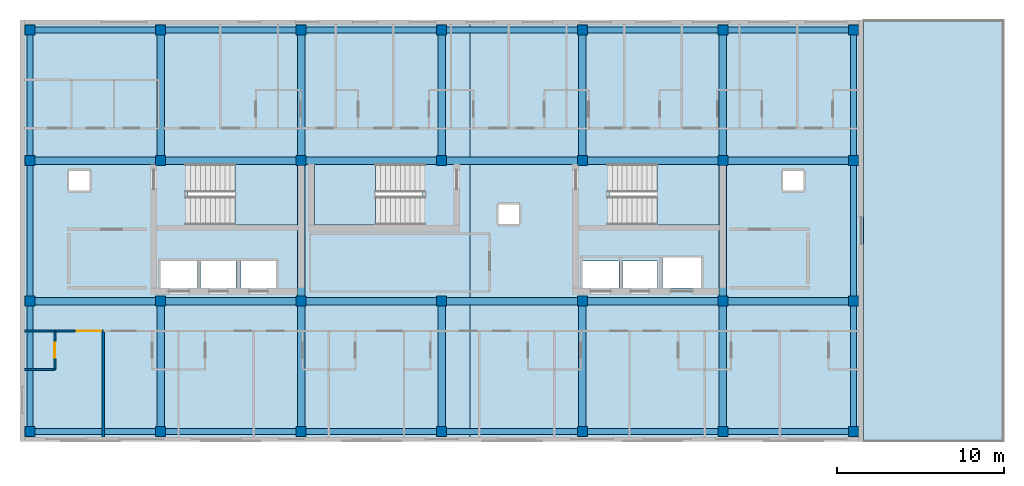
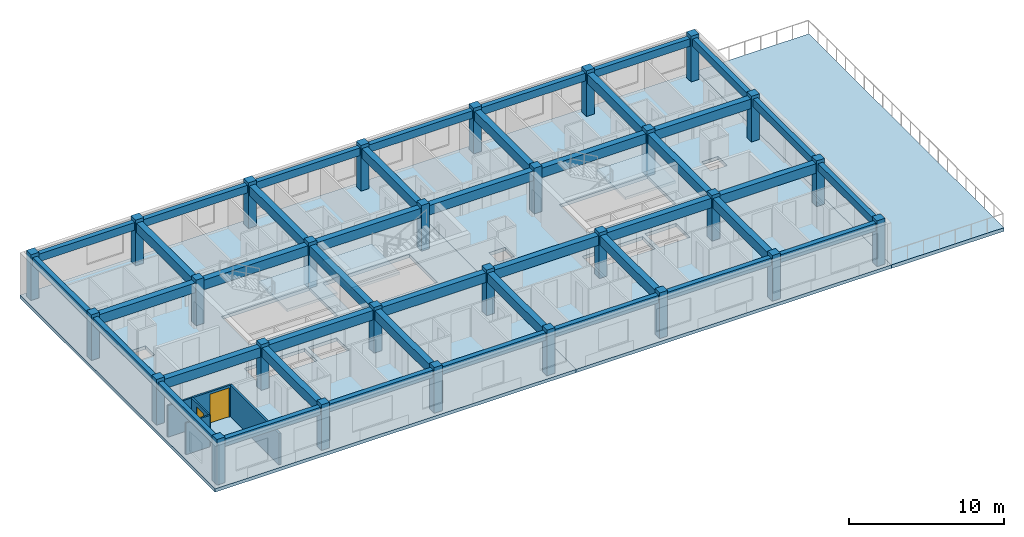
# One storey, part 1 of 9: 42 beams, 28 columns, 6 slabs, 5 walls, 2 doors, 2 openings, 3 elements without a shape of their own.
"""IFC4 building model written with IfcOpenShell, lengths in metres."""

from ifc_helpers import new_model, si_unit, direction, frame, frame_2d, origin, origin_2d, place, context, subcontext, project, spatial, polyline, rectangle, outline, extrude, material, layer, layer_set, material_profile, profile_set, type_object, element, fill, aggregate, save


model = new_model("IFC4")

# Units and contexts
model_context = context("Model", 3, precision=1e-05, world=origin(), true_north=direction((0.0, 1.0)))
body_context = subcontext(model_context, "Body", "Model", "MODEL_VIEW")
ifc_project = project(units=[si_unit("LENGTHUNIT", "METRE"), si_unit("AREAUNIT", "SQUARE_METRE"), si_unit("VOLUMEUNIT", "CUBIC_METRE"), si_unit("PLANEANGLEUNIT", "RADIAN"), si_unit("MASSUNIT", "GRAM", prefix="KILO")], contexts=[model_context])

# Site, building, storey
site_placement = place(None, origin())
site = spatial("IfcSite", under=ifc_project, at=site_placement, CompositionType="ELEMENT")
building_placement = place(site_placement, origin())
building = spatial("IfcBuilding", under=site, at=building_placement, Name="Zayran Congress Hotel", CompositionType="ELEMENT")
storey_placement = place(building_placement, frame((0.0, 0.0, 40.800048828125)))
storey = spatial("IfcBuildingStorey", under=building, at=storey_placement, Name="L10", CompositionType="ELEMENT", Elevation=40.800048828125)

# Columns
ifc_material_1 = material(Name="Concrete C40/50", Category="concrete")
ifc_material_profile_1 = material_profile(ifc_material_1, rectangle(XDim=0.60009765625, YDim=0.60009765625, at=origin_2d()), Name="RC 600x600")
ifc_profile_set_1 = profile_set([ifc_material_profile_1], Name="Concrete C40/50")
column_type = type_object("IfcColumnType", Name="TP-CL-04", PredefinedType="COLUMN", material=ifc_profile_set_1)
for number, where, z_axis, x_axis, name in (
    (1, (17.39990234375, 9.39990234375, 0.0), (0.0, 0.0, 1.0), (1.0, 0.0, 0.0), "COL-V5-L10-1324"),
    (2, (17.39990234375, 17.199951171875, 0.0), (0.0, 0.0, 1.0), (1.0, 0.0, 0.0), "COL-V5-L10-1325"),
    (3, (17.39990234375, 25.60009765625, 0.0), (0.0, 0.0, 1.0), (1.0, 0.0, 0.0), "COL-V5-L10-1326"),
    (4, (17.39990234375, 33.39990234375, 0.0), (0.0, 0.0, 1.0), (1.0, 0.0, 0.0), "COL-V5-L10-1327"),
    (5, (25.199951171875, 9.39990234375, 0.0), (0.0, 0.0, 1.0), (1.0, 0.0, 0.0), "COL-V5-L10-1328"),
    (6, (25.199951171875, 17.199951171875, 0.0), (0.0, 0.0, 1.0), (1.0, 0.0, 0.0), "COL-V5-L10-1329"),
    (7, (25.199951171875, 25.60009765625, 0.0), (0.0, 0.0, 1.0), (1.0, 0.0, 0.0), "COL-V5-L10-1330"),
    (8, (25.199951171875, 33.39990234375, 0.0), (0.0, 0.0, 1.0), (1.0, 0.0, 0.0), "COL-V5-L10-1331"),
    (9, (33.60009765625, 9.39990234375, 0.0), (0.0, 0.0, 1.0), (1.0, 0.0, 0.0), "COL-V5-L10-1332"),
    (10, (33.60009765625, 17.199951171875, 0.0), (0.0, 0.0, 1.0), (1.0, 0.0, 0.0), "COL-V5-L10-1333"),
    (11, (33.60009765625, 25.60009765625, 0.0), (0.0, 0.0, 1.0), (1.0, 0.0, 0.0), "COL-V5-L10-1334"),
    (12, (33.60009765625, 33.39990234375, 0.0), (0.0, 0.0, 1.0), (1.0, 0.0, 0.0), "COL-V5-L10-1335"),
    (13, (42.0, 9.39990234375, 0.0), (0.0, 0.0, 1.0), (1.0, 0.0, 0.0), "COL-V5-L10-1336"),
    (14, (42.0, 17.199951171875, 0.0), (0.0, 0.0, 1.0), (1.0, 0.0, 0.0), "COL-V5-L10-1337"),
    (15, (42.0, 25.60009765625, 0.0), (0.0, 0.0, 1.0), (1.0, 0.0, 0.0), "COL-V5-L10-1338"),
    (16, (42.0, 33.39990234375, 0.0), (0.0, 0.0, 1.0), (1.0, 0.0, 0.0), "COL-V5-L10-1339"),
    (17, (50.39990234375, 9.39990234375, 0.0), (0.0, 0.0, 1.0), (1.0, 0.0, 0.0), "COL-V5-L10-1340"),
    (18, (50.39990234375, 17.199951171875, 0.0), (0.0, 0.0, 1.0), (1.0, 0.0, 0.0), "COL-V5-L10-1341"),
    (19, (50.39990234375, 25.60009765625, 0.0), (0.0, 0.0, 1.0), (1.0, 0.0, 0.0), "COL-V5-L10-1342"),
    (20, (50.39990234375, 33.39990234375, 0.0), (0.0, 0.0, 1.0), (1.0, 0.0, 0.0), "COL-V5-L10-1343"),
    (21, (58.800048828125, 9.39990234375, 0.0), (0.0, 0.0, 1.0), (1.0, 0.0, 0.0), "COL-V5-L10-1344"),
    (22, (58.800048828125, 17.199951171875, 0.0), (0.0, 0.0, 1.0), (1.0, 0.0, 0.0), "COL-V5-L10-1345"),
    (23, (58.800048828125, 25.60009765625, 0.0), (0.0, 0.0, 1.0), (1.0, 0.0, 0.0), "COL-V5-L10-1346"),
    (24, (58.800048828125, 33.39990234375, 0.0), (0.0, 0.0, 1.0), (1.0, 0.0, 0.0), "COL-V5-L10-1347"),
    (25, (66.60009765625, 9.39990234375, 0.0), (0.0, 0.0, 1.0), (1.0, 0.0, 0.0), "COL-V5-L10-1348"),
    (26, (66.60009765625, 17.199951171875, 0.0), (0.0, 0.0, 1.0), (1.0, 0.0, 0.0), "COL-V5-L10-1349"),
    (27, (66.60009765625, 25.60009765625, 0.0), (0.0, 0.0, 1.0), (1.0, 0.0, 0.0), "COL-V5-L10-1350"),
    (28, (66.60009765625, 33.39990234375, 0.0), (0.0, 0.0, 1.0), (1.0, 0.0, 0.0), "COL-V5-L10-1351"),
):
    element("IfcColumn", number, at=place(storey_placement, frame(where, z_axis=z_axis, x_axis=x_axis)), inside=storey, type_object=column_type, Name=name, PredefinedType="COLUMN", context=body_context, shape_type="SweptSolid", body=[
        extrude(rectangle(XDim=0.60009765625, YDim=0.60009765625, at=origin_2d()), origin(), (0.0, 0.0, 1.0), 3.599853515625),
    ])

# Beams
ifc_material_profile_2 = material_profile(ifc_material_1, rectangle(XDim=0.449951171875, YDim=0.75, at=origin_2d()), Name="RC 450x750")
ifc_profile_set_2 = profile_set([ifc_material_profile_2], Name="Concrete C40/50")
beam_type_1 = type_object("IfcBeamType", Name="TP-BM-02", PredefinedType="BEAM", material=ifc_profile_set_2)
beam_1_placement = place(storey_placement, frame((17.39990234375, 17.199951171875, 2.96484375), z_axis=(1.0, 0.0, 0.0), x_axis=(0.0, 1.0, 0.0)))
element("IfcBeam", 29, at=beam_1_placement, inside=storey, type_object=beam_type_1, Name="BM-V5-L10-2321", PredefinedType="BEAM", context=body_context, shape_type="SweptSolid", body=[
    extrude(rectangle(XDim=0.449951171875, YDim=0.75, at=origin_2d()), origin(), (0.0, 0.0, 1.0), 7.800048828125),
])
beam_2_placement = place(storey_placement, frame((25.199951171875, 17.199951171875, 2.96484375), z_axis=(1.0, 0.0, 0.0), x_axis=(0.0, 1.0, 0.0)))
element("IfcBeam", 30, at=beam_2_placement, inside=storey, type_object=beam_type_1, Name="BM-V5-L10-2322", PredefinedType="BEAM", context=body_context, shape_type="SweptSolid", body=[
    extrude(rectangle(XDim=0.449951171875, YDim=0.75, at=origin_2d()), origin(), (0.0, 0.0, 1.0), 8.400146484375),
])
for number, where, z_axis, x_axis, name in (
    (31, (33.60009765625, 17.199951171875, 2.96484375), (1.0, 0.0, 0.0), (0.0, 1.0, 0.0), "BM-V5-L10-2323"),
    (32, (42.0, 17.199951171875, 2.96484375), (1.0, 0.0, 0.0), (0.0, 1.0, 0.0), "BM-V5-L10-2324"),
):
    element("IfcBeam", number, at=place(storey_placement, frame(where, z_axis=z_axis, x_axis=x_axis)), inside=storey, type_object=beam_type_1, Name=name, PredefinedType="BEAM", context=body_context, shape_type="SweptSolid", body=[
        extrude(rectangle(XDim=0.449951171875, YDim=0.75, at=origin_2d()), origin(), (0.0, 0.0, 1.0), 8.39990234375),
    ])
beam_3_placement = place(storey_placement, frame((50.39990234375, 17.199951171875, 2.96484375), z_axis=(1.0, 0.0, 0.0), x_axis=(0.0, 1.0, 0.0)))
element("IfcBeam", 33, at=beam_3_placement, inside=storey, type_object=beam_type_1, Name="BM-V5-L10-2325", PredefinedType="BEAM", context=body_context, shape_type="SweptSolid", body=[
    extrude(rectangle(XDim=0.449951171875, YDim=0.75, at=origin_2d()), origin(), (0.0, 0.0, 1.0), 8.400146484375),
])
for number, where, z_axis, x_axis, name in (
    (34, (58.800048828125, 17.199951171875, 2.96484375), (1.0, 0.0, 0.0), (0.0, 1.0, 0.0), "BM-V5-L10-2326"),
    (35, (17.39990234375, 25.60009765625, 2.96484375), (1.0, 0.0, 0.0), (0.0, 1.0, 0.0), "BM-V5-L10-2327"),
):
    element("IfcBeam", number, at=place(storey_placement, frame(where, z_axis=z_axis, x_axis=x_axis)), inside=storey, type_object=beam_type_1, Name=name, PredefinedType="BEAM", context=body_context, shape_type="SweptSolid", body=[
        extrude(rectangle(XDim=0.449951171875, YDim=0.75, at=origin_2d()), origin(), (0.0, 0.0, 1.0), 7.800048828125),
    ])
beam_4_placement = place(storey_placement, frame((25.199951171875, 25.60009765625, 2.96484375), z_axis=(1.0, 0.0, 0.0), x_axis=(0.0, 1.0, 0.0)))
element("IfcBeam", 36, at=beam_4_placement, inside=storey, type_object=beam_type_1, Name="BM-V5-L10-2328", PredefinedType="BEAM", context=body_context, shape_type="SweptSolid", body=[
    extrude(rectangle(XDim=0.449951171875, YDim=0.75, at=origin_2d()), origin(), (0.0, 0.0, 1.0), 8.400146484375),
])
for number, where, z_axis, x_axis, name in (
    (37, (33.60009765625, 25.60009765625, 2.96484375), (1.0, 0.0, 0.0), (0.0, 1.0, 0.0), "BM-V5-L10-2329"),
    (38, (42.0, 25.60009765625, 2.96484375), (1.0, 0.0, 0.0), (0.0, 1.0, 0.0), "BM-V5-L10-2330"),
):
    element("IfcBeam", number, at=place(storey_placement, frame(where, z_axis=z_axis, x_axis=x_axis)), inside=storey, type_object=beam_type_1, Name=name, PredefinedType="BEAM", context=body_context, shape_type="SweptSolid", body=[
        extrude(rectangle(XDim=0.449951171875, YDim=0.75, at=origin_2d()), origin(), (0.0, 0.0, 1.0), 8.39990234375),
    ])
beam_5_placement = place(storey_placement, frame((50.39990234375, 25.60009765625, 2.96484375), z_axis=(1.0, 0.0, 0.0), x_axis=(0.0, 1.0, 0.0)))
element("IfcBeam", 39, at=beam_5_placement, inside=storey, type_object=beam_type_1, Name="BM-V5-L10-2331", PredefinedType="BEAM", context=body_context, shape_type="SweptSolid", body=[
    extrude(rectangle(XDim=0.449951171875, YDim=0.75, at=origin_2d()), origin(), (0.0, 0.0, 1.0), 8.400146484375),
])
for number, where, z_axis, x_axis, name in (
    (40, (58.800048828125, 25.60009765625, 2.96484375), (1.0, 0.0, 0.0), (0.0, 1.0, 0.0), "BM-V5-L10-2332"),
    (41, (25.199951171875, 9.39990234375, 2.96484375), (0.0, 1.0, 0.0), (-1.0, 0.0, 0.0), "BM-V5-L10-2342"),
):
    element("IfcBeam", number, at=place(storey_placement, frame(where, z_axis=z_axis, x_axis=x_axis)), inside=storey, type_object=beam_type_1, Name=name, PredefinedType="BEAM", context=body_context, shape_type="SweptSolid", body=[
        extrude(rectangle(XDim=0.449951171875, YDim=0.75, at=origin_2d()), origin(), (0.0, 0.0, 1.0), 7.800048828125),
    ])
beam_6_placement = place(storey_placement, frame((25.199951171875, 25.60009765625, 2.96484375), z_axis=(0.0, 1.0, 0.0), x_axis=(-1.0, 0.0, 0.0)))
element("IfcBeam", 42, at=beam_6_placement, inside=storey, type_object=beam_type_1, Name="BM-V5-L10-2343", PredefinedType="BEAM", context=body_context, shape_type="SweptSolid", body=[
    extrude(rectangle(XDim=0.449951171875, YDim=0.75, at=origin_2d()), origin(), (0.0, 0.0, 1.0), 7.7998046875),
])
beam_7_placement = place(storey_placement, frame((33.60009765625, 9.39990234375, 2.96484375), z_axis=(0.0, 1.0, 0.0), x_axis=(-1.0, 0.0, 0.0)))
element("IfcBeam", 43, at=beam_7_placement, inside=storey, type_object=beam_type_1, Name="BM-V5-L10-2344", PredefinedType="BEAM", context=body_context, shape_type="SweptSolid", body=[
    extrude(rectangle(XDim=0.449951171875, YDim=0.75, at=origin_2d()), origin(), (0.0, 0.0, 1.0), 7.800048828125),
])
beam_8_placement = place(storey_placement, frame((33.60009765625, 17.199951171875, 2.96484375), z_axis=(0.0, 1.0, 0.0), x_axis=(-1.0, 0.0, 0.0)))
element("IfcBeam", 44, at=beam_8_placement, inside=storey, type_object=beam_type_1, Name="BM-V5-L10-2345", PredefinedType="BEAM", context=body_context, shape_type="SweptSolid", body=[
    extrude(rectangle(XDim=0.449951171875, YDim=0.75, at=origin_2d()), origin(), (0.0, 0.0, 1.0), 8.400146484375),
])
beam_9_placement = place(storey_placement, frame((33.60009765625, 25.60009765625, 2.96484375), z_axis=(0.0, 1.0, 0.0), x_axis=(-1.0, 0.0, 0.0)))
element("IfcBeam", 45, at=beam_9_placement, inside=storey, type_object=beam_type_1, Name="BM-V5-L10-2346", PredefinedType="BEAM", context=body_context, shape_type="SweptSolid", body=[
    extrude(rectangle(XDim=0.449951171875, YDim=0.75, at=origin_2d()), origin(), (0.0, 0.0, 1.0), 7.7998046875),
])
beam_10_placement = place(storey_placement, frame((42.0, 9.39990234375, 2.96484375), z_axis=(0.0, 1.0, 0.0), x_axis=(-1.0, 0.0, 0.0)))
element("IfcBeam", 46, at=beam_10_placement, inside=storey, type_object=beam_type_1, Name="BM-V5-L10-2347", PredefinedType="BEAM", context=body_context, shape_type="SweptSolid", body=[
    extrude(rectangle(XDim=0.449951171875, YDim=0.75, at=origin_2d()), origin(), (0.0, 0.0, 1.0), 7.800048828125),
])
beam_11_placement = place(storey_placement, frame((42.0, 25.60009765625, 2.96484375), z_axis=(0.0, 1.0, 0.0), x_axis=(-1.0, 0.0, 0.0)))
element("IfcBeam", 47, at=beam_11_placement, inside=storey, type_object=beam_type_1, Name="BM-V5-L10-2349", PredefinedType="BEAM", context=body_context, shape_type="SweptSolid", body=[
    extrude(rectangle(XDim=0.449951171875, YDim=0.75, at=origin_2d()), origin(), (0.0, 0.0, 1.0), 7.7998046875),
])
beam_12_placement = place(storey_placement, frame((50.39990234375, 9.39990234375, 2.96484375), z_axis=(0.0, 1.0, 0.0), x_axis=(-1.0, 0.0, 0.0)))
element("IfcBeam", 48, at=beam_12_placement, inside=storey, type_object=beam_type_1, Name="BM-V5-L10-2350", PredefinedType="BEAM", context=body_context, shape_type="SweptSolid", body=[
    extrude(rectangle(XDim=0.449951171875, YDim=0.75, at=origin_2d()), origin(), (0.0, 0.0, 1.0), 7.800048828125),
])
beam_13_placement = place(storey_placement, frame((50.39990234375, 25.60009765625, 2.96484375), z_axis=(0.0, 1.0, 0.0), x_axis=(-1.0, 0.0, 0.0)))
element("IfcBeam", 49, at=beam_13_placement, inside=storey, type_object=beam_type_1, Name="BM-V5-L10-2351", PredefinedType="BEAM", context=body_context, shape_type="SweptSolid", body=[
    extrude(rectangle(XDim=0.449951171875, YDim=0.75, at=origin_2d()), origin(), (0.0, 0.0, 1.0), 7.7998046875),
])
beam_14_placement = place(storey_placement, frame((58.800048828125, 9.39990234375, 2.96484375), z_axis=(0.0, 1.0, 0.0), x_axis=(-1.0, 0.0, 0.0)))
element("IfcBeam", 50, at=beam_14_placement, inside=storey, type_object=beam_type_1, Name="BM-V5-L10-2352", PredefinedType="BEAM", context=body_context, shape_type="SweptSolid", body=[
    extrude(rectangle(XDim=0.449951171875, YDim=0.75, at=origin_2d()), origin(), (0.0, 0.0, 1.0), 7.800048828125),
])
beam_15_placement = place(storey_placement, frame((58.800048828125, 17.199951171875, 2.96484375), z_axis=(0.0, 1.0, 0.0), x_axis=(-1.0, 0.0, 0.0)))
element("IfcBeam", 51, at=beam_15_placement, inside=storey, type_object=beam_type_1, Name="BM-V5-L10-2353", PredefinedType="BEAM", context=body_context, shape_type="SweptSolid", body=[
    extrude(rectangle(XDim=0.449951171875, YDim=0.75, at=origin_2d()), origin(), (0.0, 0.0, 1.0), 8.400146484375),
])
beam_16_placement = place(storey_placement, frame((58.800048828125, 25.60009765625, 2.96484375), z_axis=(0.0, 1.0, 0.0), x_axis=(-1.0, 0.0, 0.0)))
element("IfcBeam", 52, at=beam_16_placement, inside=storey, type_object=beam_type_1, Name="BM-V5-L10-2354", PredefinedType="BEAM", context=body_context, shape_type="SweptSolid", body=[
    extrude(rectangle(XDim=0.449951171875, YDim=0.75, at=origin_2d()), origin(), (0.0, 0.0, 1.0), 7.7998046875),
])
ifc_material_profile_3 = material_profile(ifc_material_1, rectangle(XDim=0.35009765625, YDim=0.60009765625, at=origin_2d()), Name="RC 350x600")
ifc_profile_set_3 = profile_set([ifc_material_profile_3], Name="Concrete C40/50")
beam_type_2 = type_object("IfcBeamType", Name="TP-SP-01", PredefinedType="SPANDREL", material=ifc_profile_set_3)
beam_17_placement = place(storey_placement, frame((17.39990234375, 9.39990234375, 3.0400390625), z_axis=(1.0, 0.0, 0.0), x_axis=(0.0, 1.0, 0.0)))
element("IfcBeam", 53, at=beam_17_placement, inside=storey, type_object=beam_type_2, Name="BM-V5-L10-2315", PredefinedType="SPANDREL", context=body_context, shape_type="SweptSolid", body=[
    extrude(rectangle(XDim=0.35009765625, YDim=0.60009765625, at=origin_2d()), origin(), (0.0, 0.0, 1.0), 7.800048828125),
])
beam_18_placement = place(storey_placement, frame((25.199951171875, 9.39990234375, 3.0400390625), z_axis=(1.0, 0.0, 0.0), x_axis=(0.0, 1.0, 0.0)))
element("IfcBeam", 54, at=beam_18_placement, inside=storey, type_object=beam_type_2, Name="BM-V5-L10-2316", PredefinedType="SPANDREL", context=body_context, shape_type="SweptSolid", body=[
    extrude(rectangle(XDim=0.35009765625, YDim=0.60009765625, at=origin_2d()), origin(), (0.0, 0.0, 1.0), 8.400146484375),
])
for number, where, z_axis, x_axis, name in (
    (55, (33.60009765625, 9.39990234375, 3.0400390625), (1.0, 0.0, 0.0), (0.0, 1.0, 0.0), "BM-V5-L10-2317"),
    (56, (42.0, 9.39990234375, 3.0400390625), (1.0, 0.0, 0.0), (0.0, 1.0, 0.0), "BM-V5-L10-2318"),
):
    element("IfcBeam", number, at=place(storey_placement, frame(where, z_axis=z_axis, x_axis=x_axis)), inside=storey, type_object=beam_type_2, Name=name, PredefinedType="SPANDREL", context=body_context, shape_type="SweptSolid", body=[
        extrude(rectangle(XDim=0.35009765625, YDim=0.60009765625, at=origin_2d()), origin(), (0.0, 0.0, 1.0), 8.39990234375),
    ])
beam_19_placement = place(storey_placement, frame((50.39990234375, 9.39990234375, 3.0400390625), z_axis=(1.0, 0.0, 0.0), x_axis=(0.0, 1.0, 0.0)))
element("IfcBeam", 57, at=beam_19_placement, inside=storey, type_object=beam_type_2, Name="BM-V5-L10-2319", PredefinedType="SPANDREL", context=body_context, shape_type="SweptSolid", body=[
    extrude(rectangle(XDim=0.35009765625, YDim=0.60009765625, at=origin_2d()), origin(), (0.0, 0.0, 1.0), 8.400146484375),
])
for number, where, z_axis, x_axis, name in (
    (58, (58.800048828125, 9.39990234375, 3.0400390625), (1.0, 0.0, 0.0), (0.0, 1.0, 0.0), "BM-V5-L10-2320"),
    (59, (17.39990234375, 33.39990234375, 3.0400390625), (1.0, 0.0, 0.0), (0.0, 1.0, 0.0), "BM-V5-L10-2333"),
):
    element("IfcBeam", number, at=place(storey_placement, frame(where, z_axis=z_axis, x_axis=x_axis)), inside=storey, type_object=beam_type_2, Name=name, PredefinedType="SPANDREL", context=body_context, shape_type="SweptSolid", body=[
        extrude(rectangle(XDim=0.35009765625, YDim=0.60009765625, at=origin_2d()), origin(), (0.0, 0.0, 1.0), 7.800048828125),
    ])
beam_20_placement = place(storey_placement, frame((25.199951171875, 33.39990234375, 3.0400390625), z_axis=(1.0, 0.0, 0.0), x_axis=(0.0, 1.0, 0.0)))
element("IfcBeam", 60, at=beam_20_placement, inside=storey, type_object=beam_type_2, Name="BM-V5-L10-2334", PredefinedType="SPANDREL", context=body_context, shape_type="SweptSolid", body=[
    extrude(rectangle(XDim=0.35009765625, YDim=0.60009765625, at=origin_2d()), origin(), (0.0, 0.0, 1.0), 8.400146484375),
])
for number, where, z_axis, x_axis, name in (
    (61, (33.60009765625, 33.39990234375, 3.0400390625), (1.0, 0.0, 0.0), (0.0, 1.0, 0.0), "BM-V5-L10-2335"),
    (62, (42.0, 33.39990234375, 3.0400390625), (1.0, 0.0, 0.0), (0.0, 1.0, 0.0), "BM-V5-L10-2336"),
):
    element("IfcBeam", number, at=place(storey_placement, frame(where, z_axis=z_axis, x_axis=x_axis)), inside=storey, type_object=beam_type_2, Name=name, PredefinedType="SPANDREL", context=body_context, shape_type="SweptSolid", body=[
        extrude(rectangle(XDim=0.35009765625, YDim=0.60009765625, at=origin_2d()), origin(), (0.0, 0.0, 1.0), 8.39990234375),
    ])
beam_21_placement = place(storey_placement, frame((50.39990234375, 33.39990234375, 3.0400390625), z_axis=(1.0, 0.0, 0.0), x_axis=(0.0, 1.0, 0.0)))
element("IfcBeam", 63, at=beam_21_placement, inside=storey, type_object=beam_type_2, Name="BM-V5-L10-2337", PredefinedType="SPANDREL", context=body_context, shape_type="SweptSolid", body=[
    extrude(rectangle(XDim=0.35009765625, YDim=0.60009765625, at=origin_2d()), origin(), (0.0, 0.0, 1.0), 8.400146484375),
])
for number, where, z_axis, x_axis, name in (
    (64, (58.800048828125, 33.39990234375, 3.0400390625), (1.0, 0.0, 0.0), (0.0, 1.0, 0.0), "BM-V5-L10-2338"),
    (65, (17.39990234375, 9.39990234375, 3.0400390625), (0.0, 1.0, 0.0), (-1.0, 0.0, 0.0), "BM-V5-L10-2339"),
):
    element("IfcBeam", number, at=place(storey_placement, frame(where, z_axis=z_axis, x_axis=x_axis)), inside=storey, type_object=beam_type_2, Name=name, PredefinedType="SPANDREL", context=body_context, shape_type="SweptSolid", body=[
        extrude(rectangle(XDim=0.35009765625, YDim=0.60009765625, at=origin_2d()), origin(), (0.0, 0.0, 1.0), 7.800048828125),
    ])
beam_22_placement = place(storey_placement, frame((17.39990234375, 17.199951171875, 3.0400390625), z_axis=(0.0, 1.0, 0.0), x_axis=(-1.0, 0.0, 0.0)))
element("IfcBeam", 66, at=beam_22_placement, inside=storey, type_object=beam_type_2, Name="BM-V5-L10-2340", PredefinedType="SPANDREL", context=body_context, shape_type="SweptSolid", body=[
    extrude(rectangle(XDim=0.35009765625, YDim=0.60009765625, at=origin_2d()), origin(), (0.0, 0.0, 1.0), 8.400146484375),
])
beam_23_placement = place(storey_placement, frame((17.39990234375, 25.60009765625, 3.0400390625), z_axis=(0.0, 1.0, 0.0), x_axis=(-1.0, 0.0, 0.0)))
element("IfcBeam", 67, at=beam_23_placement, inside=storey, type_object=beam_type_2, Name="BM-V5-L10-2341", PredefinedType="SPANDREL", context=body_context, shape_type="SweptSolid", body=[
    extrude(rectangle(XDim=0.35009765625, YDim=0.60009765625, at=origin_2d()), origin(), (0.0, 0.0, 1.0), 7.7998046875),
])
beam_24_placement = place(storey_placement, frame((66.60009765625, 9.39990234375, 3.0400390625), z_axis=(0.0, 1.0, 0.0), x_axis=(-1.0, 0.0, 0.0)))
element("IfcBeam", 68, at=beam_24_placement, inside=storey, type_object=beam_type_2, Name="BM-V5-L10-2355", PredefinedType="SPANDREL", context=body_context, shape_type="SweptSolid", body=[
    extrude(rectangle(XDim=0.35009765625, YDim=0.60009765625, at=origin_2d()), origin(), (0.0, 0.0, 1.0), 7.800048828125),
])
beam_25_placement = place(storey_placement, frame((66.60009765625, 17.199951171875, 3.0400390625), z_axis=(0.0, 1.0, 0.0), x_axis=(-1.0, 0.0, 0.0)))
element("IfcBeam", 69, at=beam_25_placement, inside=storey, type_object=beam_type_2, Name="BM-V5-L10-2356", PredefinedType="SPANDREL", context=body_context, shape_type="SweptSolid", body=[
    extrude(rectangle(XDim=0.35009765625, YDim=0.60009765625, at=origin_2d()), origin(), (0.0, 0.0, 1.0), 8.400146484375),
])
beam_26_placement = place(storey_placement, frame((66.60009765625, 25.60009765625, 3.0400390625), z_axis=(0.0, 1.0, 0.0), x_axis=(-1.0, 0.0, 0.0)))
element("IfcBeam", 70, at=beam_26_placement, inside=storey, type_object=beam_type_2, Name="BM-V5-L10-2357", PredefinedType="SPANDREL", context=body_context, shape_type="SweptSolid", body=[
    extrude(rectangle(XDim=0.35009765625, YDim=0.60009765625, at=origin_2d()), origin(), (0.0, 0.0, 1.0), 7.7998046875),
])

# Slabs
ifc_material_2 = material(Name="Concrete C32/40", Category="concrete")
ifc_layer_1 = layer(ifc_material_2, 0.260009765625)
ifc_layer_set_1 = layer_set([ifc_layer_1], Name="Concrete C32/40")
slab_type_1 = type_object("IfcSlabType", Name="SL-FL-260", PredefinedType="FLOOR", material=ifc_layer_set_1)
slab_1_placement = place(storey_placement, frame((0.0, 0.0, -0.260009765625)))
element("IfcSlab", 71, at=slab_1_placement, inside=storey, type_object=slab_type_1, Name="SLB-V5-L10-052", PredefinedType="FLOOR", context=body_context, shape_type="SweptSolid", body=[
    extrude(outline(polyline([(16.800048828125, 8.800048828125), (43.699951171875, 8.800048828125), (43.699951171875, 34.0), (16.800048828125, 34.0), (16.800048828125, 8.800048828125)]), holes=[polyline([(26.840087890625, 21.760009765625), (33.39990234375, 21.760009765625), (33.39990234375, 25.39990234375), (26.840087890625, 25.39990234375), (26.840087890625, 21.760009765625)]), polyline([(25.199951171875, 18.0), (27.39990234375, 18.0), (27.39990234375, 19.60009765625), (25.199951171875, 19.60009765625), (25.199951171875, 18.0)]), polyline([(27.60009765625, 18.0), (29.699951171875, 18.0), (29.699951171875, 19.60009765625), (27.60009765625, 19.60009765625), (27.60009765625, 18.0)]), polyline([(30.0, 18.0), (32.10009765625, 18.0), (32.10009765625, 19.60009765625), (30.0, 19.60009765625), (30.0, 18.0)]), polyline([(34.39990234375, 21.760009765625), (40.860107421875, 21.760009765625), (40.860107421875, 25.39990234375), (34.39990234375, 25.39990234375), (34.39990234375, 21.760009765625)]), polyline([(19.739990234375, 23.800048828125), (20.9599609375, 23.800048828125), (20.9599609375, 24.97998046875), (19.739990234375, 24.97998046875), (19.739990234375, 23.800048828125)])]), origin(), (0.0, 0.0, 1.0), 0.260009765625),
])
slab_2_placement = place(storey_placement, frame((0.0, 0.0, -0.260009765625)))
element("IfcSlab", 72, at=slab_2_placement, inside=storey, type_object=slab_type_1, Name="SLB-V5-L10-053", PredefinedType="FLOOR", context=body_context, shape_type="SweptSolid", body=[
    extrude(outline(polyline([(43.699951171875, 8.800048828125), (67.199951171875, 8.800048828125), (67.199951171875, 34.0), (43.699951171875, 34.0), (43.699951171875, 8.800048828125)]), holes=[polyline([(52.0400390625, 21.760009765625), (58.60009765625, 21.760009765625), (58.60009765625, 25.39990234375), (52.0400390625, 25.39990234375), (52.0400390625, 21.760009765625)]), polyline([(50.39990234375, 18.0), (52.60009765625, 18.0), (52.60009765625, 19.60009765625), (50.39990234375, 19.60009765625), (50.39990234375, 18.0)]), polyline([(52.800048828125, 18.0), (54.89990234375, 18.0), (54.89990234375, 19.60009765625), (52.800048828125, 19.60009765625), (52.800048828125, 18.0)]), polyline([(55.199951171875, 18.0), (57.5, 18.0), (57.5, 19.800048828125), (55.199951171875, 19.800048828125), (55.199951171875, 18.0)]), polyline([(45.39990234375, 21.800048828125), (46.6201171875, 21.800048828125), (46.6201171875, 22.97998046875), (45.39990234375, 22.97998046875), (45.39990234375, 21.800048828125)]), polyline([(62.39990234375, 23.800048828125), (63.6201171875, 23.800048828125), (63.6201171875, 24.97998046875), (62.39990234375, 24.97998046875), (62.39990234375, 23.800048828125)])]), origin(), (0.0, 0.0, 1.0), 0.260009765625),
])
ifc_layer_2 = layer(ifc_material_2, 0.280029296875)
ifc_layer_set_2 = layer_set([ifc_layer_2], Name="Concrete C32/40")
slab_type_2 = type_object("IfcSlabType", Name="SL-TR-280", PredefinedType="FLOOR", material=ifc_layer_set_2)
slab_3_placement = place(storey_placement, frame((0.0, 0.0, -0.280029296875)))
element("IfcSlab", 73, at=slab_3_placement, inside=storey, type_object=slab_type_2, Name="V5 L10 Planted Roof Terrace Slab 1", PredefinedType="FLOOR", context=body_context, shape_type="SweptSolid", body=[
    extrude(outline(polyline([(67.199951171875, 8.800048828125), (75.60009765625, 8.800048828125), (75.60009765625, 34.0), (67.199951171875, 34.0), (67.199951171875, 8.800048828125)])), origin(), (0.0, 0.0, 1.0), 0.280029296875),
])

# Stair, slab
stair_type = type_object("IfcStairType", Name="TP-STR-1700-36", PredefinedType="USERDEFINED", material=ifc_material_2)
stair_1_placement = place(storey_placement, origin())
stair_1 = element("IfcStair", 74, at=stair_1_placement, inside=storey, type_object=stair_type, Name="L10 ST-01", ObjectType="TWO_RETURN_STAIR", PredefinedType="USERDEFINED")
ifc_layer_3 = layer(ifc_material_2, 0.199951171875)
ifc_layer_set_3 = layer_set([ifc_layer_3], Name="Concrete C32/40")
slab_type_3 = type_object("IfcSlabType", Name="TP-LND-1700", PredefinedType="LANDING", material=ifc_layer_set_3)
slab_4_placement = place(storey_placement, frame((0.0, 0.0, 1.599853515625)))
slab_4 = element("IfcSlab", 75, at=slab_4_placement, type_object=slab_type_3, Name="ST-01 landing 1", PredefinedType="LANDING", context=body_context, shape_type="SweptSolid", body=[
    extrude(outline(polyline([(29.64990234375, 21.760009765625), (33.39990234375, 21.760009765625), (33.39990234375, 25.39990234375), (29.64990234375, 25.39990234375), (29.64990234375, 21.760009765625)])), origin(), (0.0, 0.0, 1.0), 0.2001953125),
])
aggregate(stair_1, [slab_4])

stair_2_placement = place(storey_placement, origin())
stair_2 = element("IfcStair", 76, at=stair_2_placement, inside=storey, type_object=stair_type, Name="L10 ST-02", ObjectType="TWO_RETURN_STAIR", PredefinedType="USERDEFINED")
slab_5_placement = place(storey_placement, frame((0.0, 0.0, 1.599853515625)))
slab_5 = element("IfcSlab", 77, at=slab_5_placement, type_object=slab_type_3, Name="ST-02 landing 1", PredefinedType="LANDING", context=body_context, shape_type="SweptSolid", body=[
    extrude(outline(polyline([(54.85009765625, 21.760009765625), (58.60009765625, 21.760009765625), (58.60009765625, 25.39990234375), (54.85009765625, 25.39990234375), (54.85009765625, 21.760009765625)])), origin(), (0.0, 0.0, 1.0), 0.2001953125),
])
aggregate(stair_2, [slab_5])

stair_3_placement = place(storey_placement, origin())
stair_3 = element("IfcStair", 78, at=stair_3_placement, inside=storey, type_object=stair_type, Name="L10 ST-13", ObjectType="TWO_RETURN_STAIR", PredefinedType="USERDEFINED")
slab_6_placement = place(storey_placement, frame((0.0, 0.0, 1.599853515625)))
slab_6 = element("IfcSlab", 79, at=slab_6_placement, type_object=slab_type_3, Name="ST-13 landing 1", PredefinedType="LANDING", context=body_context, shape_type="SweptSolid", body=[
    extrude(outline(polyline([(38.050048828125, 25.39990234375), (34.39990234375, 25.39990234375), (34.39990234375, 21.760009765625), (38.050048828125, 21.760009765625), (38.050048828125, 25.39990234375)])), origin(), (0.0, 0.0, 1.0), 0.2001953125),
])
aggregate(stair_3, [slab_6])

# Wall, opening, door
ifc_material_3 = material(Name="Hospitality guestroom acoustic partition", Category="gypsum")
ifc_layer_4 = layer(ifc_material_3, 0.139892578125)
ifc_layer_set_4 = layer_set([ifc_layer_4], Name="Hospitality guestroom acoustic partition")
wall_type_1 = type_object("IfcWallType", Name="WL-PT-140", PredefinedType="PARTITIONING", material=ifc_layer_set_4)
wall_1_placement = place(storey_placement, frame((18.87890625, 15.419921875, 0.0), z_axis=(0.0, 0.0, 1.0), x_axis=(1.0, 0.0, 0.0)))
wall_1 = element("IfcWall", 80, at=wall_1_placement, inside=storey, type_object=wall_type_1, Name="IW-L10-0813", PredefinedType="PARTITIONING", context=body_context, shape_type="SweptSolid", body=[
    extrude(rectangle(XDim=2.902099609375, YDim=0.139892578125, at=frame_2d((1.451171875, 0.0))), origin(), (0.0, 0.0, 1.0), 2.47998046875),
])
opening_1_placement = place(wall_1_placement, frame((1.31201171875, 0.0, 0.0)))
opening_1 = element("IfcOpeningElement", 81, at=opening_1_placement, cuts=wall_1, Name="Opening DR-ST-01", PredefinedType="OPENING", context=body_context, shape_type="SweptSolid", body=[
    extrude(rectangle(XDim=1.449951171875, YDim=2.300048828125, at=frame_2d((0.72509765625, 1.14990234375))), frame((0.0, 0.079833984375, 0.0), z_axis=(0.0, -1.0, 0.0), x_axis=(1.0, 0.0, 0.0)), (0.0, 0.0, 1.0), 0.159912109375),
])
ifc_material_4 = material(Name="Double walnut veneer suite entry door", Category="wood")
door_type_1 = type_object("IfcDoorType", Name="TP-DR-ST-01", OperationType="DOUBLE_DOOR_SINGLE_SWING", PredefinedType="DOOR", material=ifc_material_4)
door_1_placement = place(opening_1_placement, origin())
door_1 = element("IfcDoor", 82, at=door_1_placement, inside=storey, type_object=door_type_1, Name="Diplomatic Suite L10-01 Door", OperationType="DOUBLE_DOOR_SINGLE_SWING", OverallHeight=2.300048828125, OverallWidth=1.449951171875, PredefinedType="DOOR", context=body_context, shape_type="SweptSolid", body=[
    extrude(rectangle(XDim=1.449951171875, YDim=2.300048828125, at=frame_2d((0.72509765625, 1.14990234375))), frame((0.0, 0.02490234375, 0.0), z_axis=(0.0, -1.0, 0.0), x_axis=(1.0, 0.0, 0.0)), (0.0, 0.0, 1.0), 0.050048828125),
])
fill(opening_1, door_1)

# Wall
wall_2_placement = place(storey_placement, frame((21.781005859375, 9.080078125, 0.0), z_axis=(0.0, 0.0, 1.0), x_axis=(0.0, 1.0, 0.0)))
element("IfcWall", 83, at=wall_2_placement, inside=storey, type_object=wall_type_1, Name="IW-L10-2149", PredefinedType="PARTITIONING", context=body_context, shape_type="SweptSolid", body=[
    extrude(rectangle(XDim=6.349853515625, YDim=0.139892578125, at=frame_2d((3.1748046875, 0.0))), origin(), (0.0, 0.0, 1.0), 2.47998046875),
])

# Wall, opening, door
ifc_material_5 = material(Name="Moisture-resistant bathroom partition", Category="gypsum")
ifc_layer_5 = layer(ifc_material_5, 0.1201171875)
ifc_layer_set_5 = layer_set([ifc_layer_5], Name="Moisture-resistant bathroom partition")
wall_type_2 = type_object("IfcWallType", Name="WL-PT-120", PredefinedType="PARTITIONING", material=ifc_layer_set_5)
wall_3_placement = place(storey_placement, frame((18.87890625, 13.1201171875, 0.0), z_axis=(0.0, 0.0, 1.0), x_axis=(0.0, 1.0, 0.0)))
wall_3 = element("IfcWall", 84, at=wall_3_placement, inside=storey, type_object=wall_type_2, Name="IW-L10-0295", PredefinedType="PARTITIONING", context=body_context, shape_type="SweptSolid", body=[
    extrude(rectangle(XDim=2.309814453125, YDim=0.1201171875, at=frame_2d((1.15478515625, 0.0))), origin(), (0.0, 0.0, 1.0), 2.47998046875),
])
opening_2_placement = place(wall_3_placement, frame((0.705078125, 0.0, 0.0)))
opening_2 = element("IfcOpeningElement", 85, at=opening_2_placement, cuts=wall_3, Name="Opening DR-BT-03", PredefinedType="OPENING", context=body_context, shape_type="SweptSolid", body=[
    extrude(rectangle(XDim=0.89990234375, YDim=2.179931640625, at=frame_2d((0.449951171875, 1.08984375))), frame((0.0, 0.070068359375, 0.0), z_axis=(0.0, -1.0, 0.0), x_axis=(1.0, 0.0, 0.0)), (0.0, 0.0, 1.0), 0.14013671875),
])
ifc_material_6 = material(Name="Suite oak en-suite bathroom door", Category="wood")
door_type_2 = type_object("IfcDoorType", Name="TP-DR-BT-03", OperationType="NOTDEFINED", PredefinedType="DOOR", material=ifc_material_6)
door_2_placement = place(opening_2_placement, origin())
door_2 = element("IfcDoor", 86, at=door_2_placement, inside=storey, type_object=door_type_2, Name="En-Suite Bathroom L10-01 Door", OperationType="SINGLE_SWING_RIGHT", OverallHeight=2.179931640625, OverallWidth=0.89990234375, PredefinedType="DOOR", context=body_context, shape_type="SweptSolid", body=[
    extrude(rectangle(XDim=0.89990234375, YDim=2.179931640625, at=frame_2d((0.449951171875, 1.08984375))), frame((0.0, 0.02490234375, 0.0), z_axis=(0.0, -1.0, 0.0), x_axis=(1.0, 0.0, 0.0)), (0.0, 0.0, 1.0), 0.050048828125),
])
fill(opening_2, door_2)

# Walls
for number, where, z_axis, x_axis, name in (
    (87, (17.080078125, 13.1298828125, 0.0), (0.0, 0.0, 1.0), (1.0, 0.0, 0.0), "IW-L10-1457"),
    (88, (17.080078125, 15.419921875, 0.0), (0.0, 0.0, 1.0), (1.0, 0.0, 0.0), "IW-L10-1458"),
):
    element("IfcWall", number, at=place(storey_placement, frame(where, z_axis=z_axis, x_axis=x_axis)), inside=storey, type_object=wall_type_2, Name=name, PredefinedType="PARTITIONING", context=body_context, shape_type="SweptSolid", body=[
        extrude(rectangle(XDim=1.808837890625, YDim=0.1201171875, at=frame_2d((0.904296875, 0.0))), origin(), (0.0, 0.0, 1.0), 2.47998046875),
    ])

save(model, "model.ifc")
